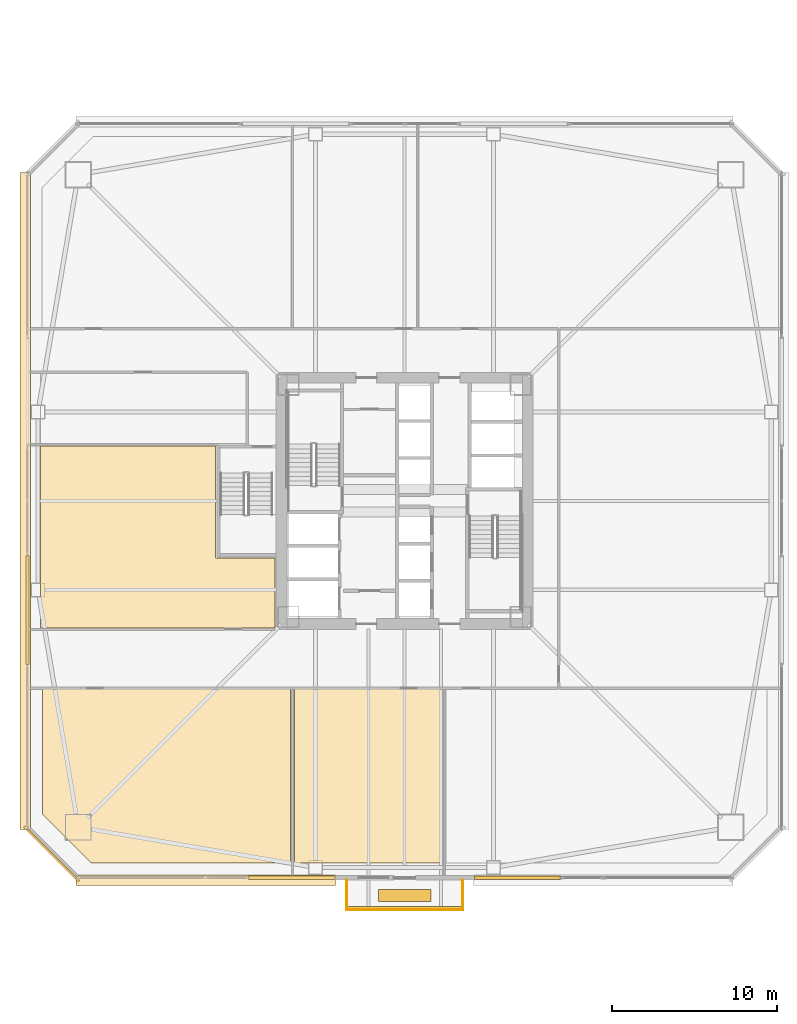
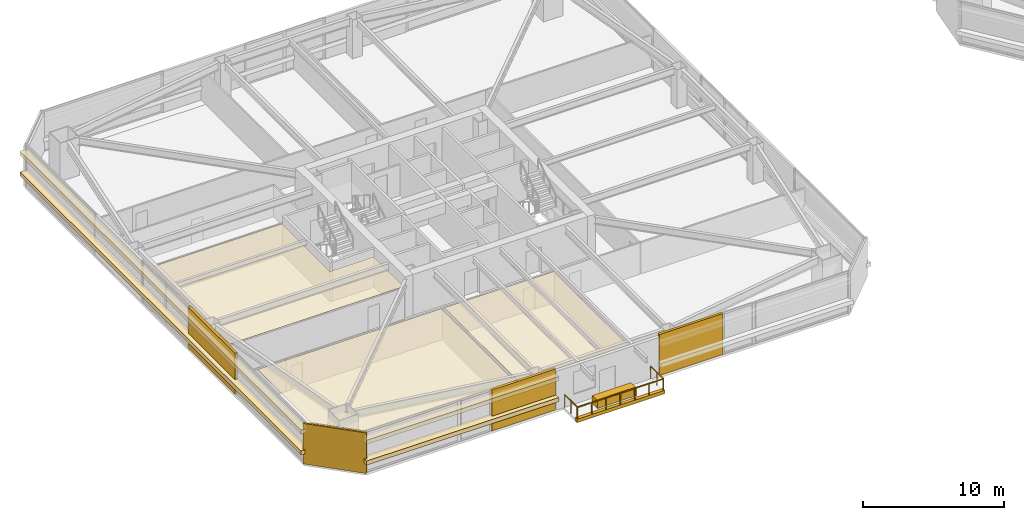
# One storey, part 38 of 45: 13 coverings, 3 railings.
"""IFC4 building model written with IfcOpenShell, lengths in metres."""

import ifcopenshell
import ifcopenshell.guid

model = None  # the IFC model being written
_history = None  # IfcOwnerHistory: only IFC2X3 demands one
_inside = {}  # id of a spatial element -> (the spatial element, [elements in it])
_under = {}  # id of a project, library or spatial element -> (it, [spatial elements below it])
_declared = {}  # id of a project -> (the project, [libraries it declares])
_typed = {}  # id of a type object -> (the type object, [elements of that type])
_made_of = {}  # id of a material, layer set ... -> (it, [elements and type objects made of it])


def new_model(schema):
    """Start an empty IFC model of exactly this schema.

    Asked for "IFC4X3", IfcOpenShell would pick the latest addendum, in which some entities
    have other attributes; the version numbers below select the first issue.
    IFC2X3 requires an IfcOwnerHistory on every rooted entity: one is made here for all.
    """
    global model, _history
    if schema == "IFC4X3":
        model = ifcopenshell.file(schema_version=(4, 3, 0, 0))
    else:
        model = ifcopenshell.file(schema=schema)
    _inside.clear()
    _under.clear()
    _declared.clear()
    _typed.clear()
    _made_of.clear()
    _history = None
    if model.schema == "IFC2X3":
        org = make("IfcOrganization", Name="unknown")
        user = make(
            "IfcPersonAndOrganization",
            ThePerson=make("IfcPerson", FamilyName="unknown"),
            TheOrganization=org,
        )
        app = make(
            "IfcApplication",
            ApplicationDeveloper=org,
            Version="unknown",
            ApplicationFullName="unknown",
            ApplicationIdentifier="unknown",
        )
        _history = make(
            "IfcOwnerHistory",
            OwningUser=user,
            OwningApplication=app,
            ChangeAction="ADDED",
            CreationDate=0,
        )
    return model


def make(cls, **values):
    """One entity of the class cls with the attributes given. An attribute that is None is left unset."""
    return model.create_entity(
        cls, **{name: value for name, value in values.items() if value is not None}
    )


def rooted(cls, **values):
    """An entity with a GlobalId (a new one), such as an element, a storey or a relation."""
    return make(cls, GlobalId=ifcopenshell.guid.new(), OwnerHistory=_history, **values)


def si_unit(unit_type, name, prefix=None):
    """IfcSIUnit, for example si_unit("LENGTHUNIT", "METRE", prefix="MILLI")."""
    return make("IfcSIUnit", UnitType=unit_type, Prefix=prefix, Name=name)


def assignment(units):
    """IfcUnitAssignment: the units of a project."""
    return None if units is None else make("IfcUnitAssignment", Units=units)


def point(xyz):
    """IfcCartesianPoint."""
    return None if xyz is None else make("IfcCartesianPoint", Coordinates=xyz)


def direction(xyz):
    """IfcDirection."""
    return None if xyz is None else make("IfcDirection", DirectionRatios=xyz)


def frame(location, z_axis=None, x_axis=None):
    """IfcAxis2Placement3D, a coordinate frame: its origin and axes. An axis left out is left unset."""
    return make(
        "IfcAxis2Placement3D",
        Location=point(location),
        Axis=direction(z_axis),
        RefDirection=direction(x_axis),
    )


def frame_2d(location, x_axis=None):
    """IfcAxis2Placement2D, a coordinate frame in the plane: its origin and x axis."""
    return make(
        "IfcAxis2Placement2D", Location=point(location), RefDirection=direction(x_axis)
    )


def origin():
    """The frame at (0, 0, 0) with its axes left unset."""
    return frame((0.0, 0.0, 0.0))


def origin_2d():
    """The frame at (0, 0) in the plane with its x axis left unset."""
    return frame_2d((0.0, 0.0))


def place(relative_to, where):
    """IfcLocalPlacement: puts the frame where relative to a parent placement (None: the world)."""
    return make(
        "IfcLocalPlacement", PlacementRelTo=relative_to, RelativePlacement=where
    )


def context(
    kind, dimensions, precision=None, world=None, true_north=None, identifier=None
):
    """IfcGeometricRepresentationContext, for example the 3D "Model" context."""
    return make(
        "IfcGeometricRepresentationContext",
        ContextIdentifier=identifier,
        ContextType=kind,
        CoordinateSpaceDimension=dimensions,
        Precision=precision,
        WorldCoordinateSystem=world,
        TrueNorth=true_north,
    )


def subcontext(parent, identifier, kind, view, scale=None):
    """IfcGeometricRepresentationSubContext, for example "Body" below "Model"."""
    return make(
        "IfcGeometricRepresentationSubContext",
        ContextIdentifier=identifier,
        ContextType=kind,
        ParentContext=parent,
        TargetScale=scale,
        TargetView=view,
    )


def project(units=None, contexts=None):
    """IfcProject with its units and contexts."""
    return rooted(
        "IfcProject",
        Name="project",
        RepresentationContexts=contexts,
        UnitsInContext=assignment(units),
    )


def spatial(cls, under=None, at=None, **own):
    """A site, building, storey or space (cls), placed at a placement, below another one or the project."""
    s = rooted(cls, ObjectPlacement=at, **own)
    if under is not None:
        _under.setdefault(under.id(), (under, []))[1].append(s)
    return s


def polyline(points):
    """IfcPolyline through the points."""
    return make("IfcPolyline", Points=[point(p) for p in points])


def profile(cls, at=None, kind="AREA", **sizes):
    """A parametric profile (cls). Its sizes go by their IFC names, for example OverallWidth=200.0."""
    return make(cls, ProfileType=kind, Position=at, **sizes)


def rectangle(**sizes):
    """IfcRectangleProfileDef."""
    return profile("IfcRectangleProfileDef", **sizes)


def outline(outer, holes=None, kind="AREA"):
    """IfcArbitraryClosedProfileDef: a profile drawn as a closed curve; with holes, ...WithVoids."""
    if holes is None:
        return make("IfcArbitraryClosedProfileDef", ProfileType=kind, OuterCurve=outer)
    return make(
        "IfcArbitraryProfileDefWithVoids",
        ProfileType=kind,
        OuterCurve=outer,
        InnerCurves=holes,
    )


def extrude(swept, where, along, depth):
    """IfcExtrudedAreaSolid: the profile swept, set in the frame where, extruded along a direction by depth."""
    return make(
        "IfcExtrudedAreaSolid",
        SweptArea=swept,
        Position=where,
        ExtrudedDirection=direction(along),
        Depth=depth,
    )


def shape(context_of_items, identifier, shape_type, items):
    """IfcShapeRepresentation: the items that make up one representation, for example the "Body"."""
    return make(
        "IfcShapeRepresentation",
        ContextOfItems=context_of_items,
        RepresentationIdentifier=identifier,
        RepresentationType=shape_type,
        Items=items,
    )


def material(Name=None, Category=None):
    """IfcMaterial."""
    return make("IfcMaterial", Name=Name, Category=Category)


def layer(
    of_material, thickness, ventilated=None, Name=None, Category=None, Priority=None
):
    """IfcMaterialLayer: one layer of a wall or slab, of a material (None: an air gap)."""
    return make(
        "IfcMaterialLayer",
        Material=of_material,
        LayerThickness=thickness,
        IsVentilated=ventilated,
        Name=Name,
        Category=Category,
        Priority=Priority,
    )


def layer_set(layers, Name=None):
    """IfcMaterialLayerSet."""
    return make("IfcMaterialLayerSet", MaterialLayers=layers, LayerSetName=Name)


def made_of(thing, what):
    """Note that an element or type object is made of a material, layer set ...; save() writes the relation."""
    if what is not None:
        _made_of.setdefault(what.id(), (what, []))[1].append(thing)
    return thing


def type_object(cls, material=None, **own):
    """A type object (cls), such as IfcWallType, which elements share."""
    return made_of(rooted(cls, **own), material)


def element(
    cls,
    number,
    at=None,
    inside=None,
    cuts=None,
    type_object=None,
    material=None,
    context=None,
    identifier="Body",
    shape_type=None,
    held_by="IfcProductDefinitionShape",
    body=None,
    shapes=None,
    **own,
):
    """One element of the class cls, such as IfcWall. Its Tag is "e" and its number.

    at: its placement. inside: the storey or other place that contains it. cuts: it is an
    opening in that element (IfcRelVoidsElement). A single representation is given by context,
    identifier, shape_type and body (its items); several are given by shapes. held_by: the class
    of the entity that holds the representations. save() writes the other relations.
    """
    e = rooted(cls, Tag="e%d" % number, ObjectPlacement=at, **own)
    if body is not None:
        shapes = [shape(context, identifier, shape_type, body)]
    if shapes is not None:
        e.Representation = make(held_by, Representations=shapes)
    if inside is not None:
        _inside.setdefault(inside.id(), (inside, []))[1].append(e)
    if cuts is not None:
        rooted(
            "IfcRelVoidsElement", RelatingBuildingElement=cuts, RelatedOpeningElement=e
        )
    if type_object is not None:
        _typed.setdefault(type_object.id(), (type_object, []))[1].append(e)
    return made_of(e, material)


def aggregate(whole, parts):
    """IfcRelAggregates: a whole, such as a stair, and the parts it consists of."""
    return rooted("IfcRelAggregates", RelatingObject=whole, RelatedObjects=parts)


def save(model, path):
    """Write the relations noted so far, then the file.

    IfcRelAggregates (storeys below a building ...), IfcRelContainedInSpatialStructure (elements
    in a storey), IfcRelDefinesByType, IfcRelAssociatesMaterial and IfcRelDeclares: one each for
    every whole, place, type object, material and project.
    """
    for whole, parts in _under.values():
        aggregate(whole, parts)
    for where, things in _inside.values():
        rooted(
            "IfcRelContainedInSpatialStructure",
            RelatedElements=things,
            RelatingStructure=where,
        )
    for kind, things in _typed.values():
        rooted("IfcRelDefinesByType", RelatedObjects=things, RelatingType=kind)
    for what, things in _made_of.values():
        rooted("IfcRelAssociatesMaterial", RelatedObjects=things, RelatingMaterial=what)
    for by, libraries in _declared.values():
        rooted("IfcRelDeclares", RelatingContext=by, RelatedDefinitions=libraries)
    model.write(path)


model = new_model("IFC4")

# Units and contexts
model_context = context("Model", 3, precision=1e-05, world=origin(), true_north=direction((0.0, 1.0)))
body_context = subcontext(model_context, "Body", "Model", "MODEL_VIEW")
ifc_project = project(units=[si_unit("LENGTHUNIT", "METRE"), si_unit("AREAUNIT", "SQUARE_METRE"), si_unit("VOLUMEUNIT", "CUBIC_METRE"), si_unit("PLANEANGLEUNIT", "RADIAN"), si_unit("MASSUNIT", "GRAM", prefix="KILO")], contexts=[model_context])

# Site, building, storey
site_placement = place(None, origin())
site = spatial("IfcSite", under=ifc_project, at=site_placement, CompositionType="ELEMENT")
building_placement = place(site_placement, origin())
building = spatial("IfcBuilding", under=site, at=building_placement, Name="Tashvorn Skyway Center", CompositionType="ELEMENT")
storey_placement = place(building_placement, frame((0.0, 0.0, 35.25)))
storey = spatial("IfcBuildingStorey", under=building, at=storey_placement, Name="L08", CompositionType="ELEMENT", Elevation=35.25)

# Coverings
ifc_material_1 = material(Name="Precast concrete C40/50", Category="concrete")
ifc_layer_1 = layer(ifc_material_1, 0.199951171875)
ifc_layer_set_1 = layer_set([ifc_layer_1], Name="Precast concrete C40/50")
covering_type_1 = type_object("IfcCoveringType", Name="COV-BRACE-CLAD", PredefinedType="CLADDING", material=ifc_layer_set_1)
for number, where, z_axis, x_axis, name in (
    (1, (48.85498046875, 9.1201171875, 0.0), (0.0, 0.0, 1.0), (-1.0, 0.0, 0.0), "Tower 1 L08 South Curtain Wall L Mega-Brace Cladding Band 1"),
    (2, (35.14501953125, 9.1201171875, 0.0), (0.0, 0.0, 1.0), (-1.0, 0.0, 0.0), "Tower 1 L08 South Curtain Wall R Mega-Brace Cladding Band 1"),
):
    element("IfcCovering", number, at=place(storey_placement, frame(where, z_axis=z_axis, x_axis=x_axis)), inside=storey, type_object=covering_type_1, Name=name, PredefinedType="CLADDING", context=body_context, shape_type="SweptSolid", body=[
        extrude(rectangle(XDim=5.2099609375, YDim=0.199951171875, at=origin_2d()), origin(), (0.0, 0.0, 1.0), 3.550048828125),
    ])
covering_1_placement = place(storey_placement, frame((19.1201171875, 25.373291015625, 0.0), z_axis=(0.0, 0.0, 1.0), x_axis=(0.0, 1.0, 0.0)))
element("IfcCovering", 3, at=covering_1_placement, inside=storey, type_object=covering_type_1, Name="Tower 1 L08 West Unitised Curtain Wall Mega-Brace Cladding Band 1", PredefinedType="CLADDING", context=body_context, shape_type="SweptSolid", body=[
    extrude(rectangle(XDim=6.626708984375, YDim=0.199951171875, at=origin_2d()), origin(), (0.0, 0.0, 1.0), 3.550048828125),
])
ifc_material_2 = material(Name="Mineral-fibre acoustic ceiling tile on suspended grid")
ifc_layer_2 = layer(ifc_material_2, 0.02001953125)
ifc_layer_set_2 = layer_set([ifc_layer_2], Name="Mineral-fibre acoustic ceiling tile on suspended grid")
covering_type_2 = type_object("IfcCoveringType", Name="COV-CEIL-20", PredefinedType="CEILING", material=ifc_layer_set_2)
covering_2_placement = place(storey_placement, frame((0.0, 0.0, 2.68310546875)))
element("IfcCovering", 4, at=covering_2_placement, inside=storey, type_object=covering_type_2, Name="Tower 1 L08 Gallery Showroom Acoustic Ceiling", PredefinedType="CEILING", context=body_context, shape_type="SweptSolid", body=[
    extrude(outline(polyline([(20.02001953125, 20.590087890625), (35.080078125, 20.590087890625), (35.080078125, 10.02001953125), (22.97998046875, 10.02001953125), (20.02001953125, 12.97998046875), (20.02001953125, 20.590087890625)])), origin(), (0.0, 0.0, 1.0), 0.019775390625),
])
covering_3_placement = place(storey_placement, frame((0.0, 0.0, 2.68310546875)))
element("IfcCovering", 5, at=covering_3_placement, inside=storey, type_object=covering_type_2, Name="Tower 1 L08 Reading Lounge Acoustic Ceiling", PredefinedType="CEILING", context=body_context, shape_type="SweptSolid", body=[
    extrude(outline(polyline([(35.320068359375, 20.590087890625), (44.280029296875, 20.590087890625), (44.280029296875, 10.02001953125), (35.320068359375, 10.02001953125), (35.320068359375, 20.590087890625)])), origin(), (0.0, 0.0, 1.0), 0.019775390625),
])
covering_4_placement = place(storey_placement, frame((0.0, 0.0, 2.68310546875)))
element("IfcCovering", 6, at=covering_4_placement, inside=storey, type_object=covering_type_2, Name="Tower 1 L08 Public Restroom Acoustic Ceiling", PredefinedType="CEILING", context=body_context, shape_type="SweptSolid", body=[
    extrude(outline(polyline([(34.1201171875, 24.280029296875), (19.89990234375, 24.280029296875), (19.89990234375, 28.52001953125), (19.89990234375, 35.320068359375), (30.52001953125, 35.320068359375), (30.52001953125, 28.52001953125), (34.1201171875, 28.52001953125), (34.1201171875, 24.280029296875)])), origin(), (0.0, 0.0, 1.0), 0.019775390625),
])
ifc_material_3 = material(Name="Perforated ceramic-coated bronze aluminium solar screen", Category="aluminium")
ifc_layer_3 = layer(ifc_material_3, 0.85009765625)
ifc_layer_set_3 = layer_set([ifc_layer_3], Name="Perforated ceramic-coated bronze aluminium solar screen")
covering_type_3 = type_object("IfcCoveringType", Name="COV-SOLAR-BAND", PredefinedType="CLADDING", material=ifc_layer_set_3)
for number, where, z_axis, x_axis, name in (
    (7, (29.93505859375, 8.97998046875, 0.919921875), (0.0, 0.0, 1.0), (-1.0, 0.0, 0.0), "L08 Perforated Ceramic-Metal Solar Screen Louvre Band South 1"),
    (8, (29.93505859375, 8.97998046875, 2.7197265625), (0.0, 0.0, 1.0), (-1.0, 0.0, 0.0), "L08 Perforated Ceramic-Metal Solar Screen Louvre Band South 2"),
):
    element("IfcCovering", number, at=place(storey_placement, frame(where, z_axis=z_axis, x_axis=x_axis)), inside=storey, type_object=covering_type_3, Name=name, PredefinedType="CLADDING", context=body_context, shape_type="SweptSolid", body=[
        extrude(rectangle(XDim=15.75, YDim=0.639892578125, at=origin_2d()), origin(), (0.0, 0.0, 1.0), 0.360107421875),
    ])
for number, where, z_axis, x_axis, name in (
    (9, (18.97998046875, 32.0, 0.919921875), (0.0, 0.0, 1.0), (0.0, 1.0, 0.0), "L08 Perforated Ceramic-Metal Solar Screen Louvre Band West 1"),
    (10, (18.97998046875, 32.0, 2.7197265625), (0.0, 0.0, 1.0), (0.0, 1.0, 0.0), "L08 Perforated Ceramic-Metal Solar Screen Louvre Band West 2"),
):
    element("IfcCovering", number, at=place(storey_placement, frame(where, z_axis=z_axis, x_axis=x_axis)), inside=storey, type_object=covering_type_3, Name=name, PredefinedType="CLADDING", context=body_context, shape_type="SweptSolid", body=[
        extrude(rectangle(XDim=39.8798828125, YDim=0.639892578125, at=origin_2d()), origin(), (0.0, 0.0, 1.0), 0.360107421875),
    ])
ifc_layer_4 = layer(ifc_material_1, 0.35009765625)
ifc_layer_set_4 = layer_set([ifc_layer_4], Name="Precast concrete C40/50")
covering_type_4 = type_object("IfcCoveringType", Name="COV-STONE-TRIM", PredefinedType="CLADDING", material=ifc_layer_set_4)
covering_5_placement = place(storey_placement, frame((42.0, 7.239990234375, -0.16015625), z_axis=(0.0, 0.0, 1.0), x_axis=(-1.0, 0.0, 0.0)))
element("IfcCovering", 11, at=covering_5_placement, inside=storey, type_object=covering_type_4, Name="Tower 1 L08 Spiral Terrace Terracotta Fascia", PredefinedType="CLADDING", context=body_context, shape_type="SweptSolid", body=[
    extrude(rectangle(XDim=7.199951171875, YDim=0.280029296875, at=origin_2d()), origin(), (0.0, 0.0, 1.0), 0.280029296875),
])
covering_6_placement = place(storey_placement, frame((42.0, 8.050048828125, 0.0), z_axis=(0.0, 0.0, 1.0), x_axis=(-1.0, 0.0, 0.0)))
element("IfcCovering", 12, at=covering_6_placement, inside=storey, type_object=covering_type_4, Name="Tower 1 L08 Spiral Terrace Planter", PredefinedType="CLADDING", context=body_context, shape_type="SweptSolid", body=[
    extrude(rectangle(XDim=3.199951171875, YDim=0.75, at=origin_2d()), origin(), (0.0, 0.0, 1.0), 0.679931640625),
])
covering_7_placement = place(storey_placement, frame((20.580078125, 10.580078125, 0.02001953125), z_axis=(0.0, 0.0, 1.0), x_axis=(-0.707106781187, 0.707106781187, 0.0)))
element("IfcCovering", 13, at=covering_7_placement, inside=storey, type_object=covering_type_4, Name="Tower 1 L08 SW Mojave Limestone Corner Quoin", PredefinedType="CLADDING", context=body_context, shape_type="SweptSolid", body=[
    extrude(rectangle(XDim=4.685546875, YDim=0.139892578125, at=origin_2d()), origin(), (0.0, 0.0, 1.0), 3.510009765625),
])

# Railings
ifc_material_4 = material(Name="Galvanized steel S355", Category="steel")
railing_type = type_object("IfcRailingType", Name="RAIL-GUARD-1120", PredefinedType="GUARDRAIL", material=ifc_material_4)
railing_1_placement = place(storey_placement, frame((38.47998046875, 9.0, 0.0)))
element("IfcRailing", 14, at=railing_1_placement, inside=storey, type_object=railing_type, Name="L08 Tower 1 Terrace Guardrail 01", PredefinedType="GUARDRAIL", context=body_context, shape_type="SweptSolid", body=[
    extrude(rectangle(XDim=0.048095703125, YDim=0.048095703125, at=origin_2d()), frame((0.0, 0.0, 1.09619140625), z_axis=(0.0, -1.0, 0.0), x_axis=(1.0, 0.0, 0.0)), (0.0, 0.0, 1.0), 1.820068359375),
    extrude(rectangle(XDim=0.0419921875, YDim=0.0419921875, at=origin_2d()), origin(), (0.0, 0.0, 1.0), 1.072021484375),
    extrude(rectangle(XDim=0.0419921875, YDim=0.0419921875, at=origin_2d()), frame((0.0, -0.91015625, 0.0)), (0.0, 0.0, 1.0), 1.072021484375),
    extrude(rectangle(XDim=0.0419921875, YDim=0.0419921875, at=origin_2d()), frame((0.0, -1.820068359375, 0.0)), (0.0, 0.0, 1.0), 1.072021484375),
])
railing_2_placement = place(storey_placement, frame((38.47998046875, 7.179931640625, 0.0)))
element("IfcRailing", 15, at=railing_2_placement, inside=storey, type_object=railing_type, Name="L08 Tower 1 Terrace Guardrail 02", PredefinedType="GUARDRAIL", context=body_context, shape_type="SweptSolid", body=[
    extrude(rectangle(XDim=0.048095703125, YDim=0.048095703125, at=origin_2d()), frame((0.0, 0.0, 1.09619140625), z_axis=(1.0, 0.0, 0.0), x_axis=(0.0, 1.0, 0.0)), (0.0, 0.0, 1.0), 7.0400390625),
    extrude(rectangle(XDim=0.0419921875, YDim=0.0419921875, at=origin_2d()), origin(), (0.0, 0.0, 1.0), 1.072021484375),
    extrude(rectangle(XDim=0.0419921875, YDim=0.0419921875, at=origin_2d()), frame((1.17333984375, 0.0, 0.0)), (0.0, 0.0, 1.0), 1.072021484375),
    extrude(rectangle(XDim=0.0419921875, YDim=0.0419921875, at=origin_2d()), frame((2.3466796875, 0.0, 0.0)), (0.0, 0.0, 1.0), 1.072021484375),
    extrude(rectangle(XDim=0.0419921875, YDim=0.0419921875, at=origin_2d()), frame((3.52001953125, 0.0, 0.0)), (0.0, 0.0, 1.0), 1.072021484375),
    extrude(rectangle(XDim=0.0419921875, YDim=0.0419921875, at=origin_2d()), frame((4.693359375, 0.0, 0.0)), (0.0, 0.0, 1.0), 1.072021484375),
    extrude(rectangle(XDim=0.0419921875, YDim=0.0419921875, at=origin_2d()), frame((5.86669921875, 0.0, 0.0)), (0.0, 0.0, 1.0), 1.072021484375),
    extrude(rectangle(XDim=0.0419921875, YDim=0.0419921875, at=origin_2d()), frame((7.0400390625, 0.0, 0.0)), (0.0, 0.0, 1.0), 1.072021484375),
])
railing_3_placement = place(storey_placement, frame((45.52001953125, 7.179931640625, 0.0)))
element("IfcRailing", 16, at=railing_3_placement, inside=storey, type_object=railing_type, Name="L08 Tower 1 Terrace Guardrail 03", PredefinedType="GUARDRAIL", context=body_context, shape_type="SweptSolid", body=[
    extrude(rectangle(XDim=0.048095703125, YDim=0.048095703125, at=origin_2d()), frame((0.0, 0.0, 1.09619140625), z_axis=(0.0, 1.0, 0.0), x_axis=(-1.0, 0.0, 0.0)), (0.0, 0.0, 1.0), 1.820068359375),
    extrude(rectangle(XDim=0.0419921875, YDim=0.0419921875, at=origin_2d()), origin(), (0.0, 0.0, 1.0), 1.072021484375),
    extrude(rectangle(XDim=0.0419921875, YDim=0.0419921875, at=origin_2d()), frame((0.0, 0.91015625, 0.0)), (0.0, 0.0, 1.0), 1.072021484375),
    extrude(rectangle(XDim=0.0419921875, YDim=0.0419921875, at=origin_2d()), frame((0.0, 1.820068359375, 0.0)), (0.0, 0.0, 1.0), 1.072021484375),
])

save(model, "model.ifc")
